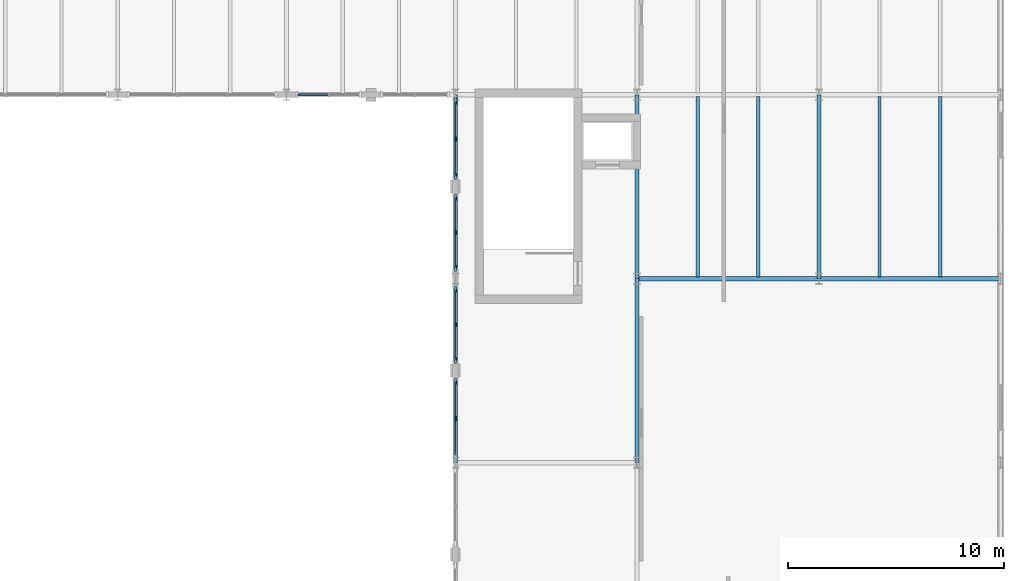
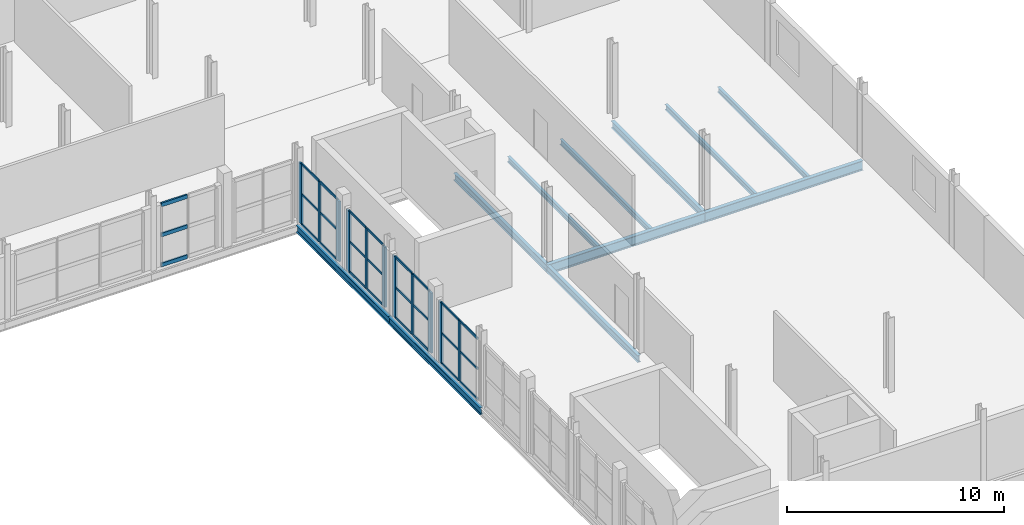
# One storey, part 19 of 45: 38 members, 11 beams, 5 elements without a shape of their own.
"""IFC4 building model written with IfcOpenShell, lengths in metres."""

import ifcopenshell
import ifcopenshell.guid

model = None  # the IFC model being written
_history = None  # IfcOwnerHistory: only IFC2X3 demands one
_inside = {}  # id of a spatial element -> (the spatial element, [elements in it])
_under = {}  # id of a project, library or spatial element -> (it, [spatial elements below it])
_declared = {}  # id of a project -> (the project, [libraries it declares])
_typed = {}  # id of a type object -> (the type object, [elements of that type])
_made_of = {}  # id of a material, layer set ... -> (it, [elements and type objects made of it])


def new_model(schema):
    """Start an empty IFC model of exactly this schema.

    Asked for "IFC4X3", IfcOpenShell would pick the latest addendum, in which some entities
    have other attributes; the version numbers below select the first issue.
    IFC2X3 requires an IfcOwnerHistory on every rooted entity: one is made here for all.
    """
    global model, _history
    if schema == "IFC4X3":
        model = ifcopenshell.file(schema_version=(4, 3, 0, 0))
    else:
        model = ifcopenshell.file(schema=schema)
    _inside.clear()
    _under.clear()
    _declared.clear()
    _typed.clear()
    _made_of.clear()
    _history = None
    if model.schema == "IFC2X3":
        org = make("IfcOrganization", Name="unknown")
        user = make(
            "IfcPersonAndOrganization",
            ThePerson=make("IfcPerson", FamilyName="unknown"),
            TheOrganization=org,
        )
        app = make(
            "IfcApplication",
            ApplicationDeveloper=org,
            Version="unknown",
            ApplicationFullName="unknown",
            ApplicationIdentifier="unknown",
        )
        _history = make(
            "IfcOwnerHistory",
            OwningUser=user,
            OwningApplication=app,
            ChangeAction="ADDED",
            CreationDate=0,
        )
    return model


def make(cls, **values):
    """One entity of the class cls with the attributes given. An attribute that is None is left unset."""
    return model.create_entity(
        cls, **{name: value for name, value in values.items() if value is not None}
    )


def rooted(cls, **values):
    """An entity with a GlobalId (a new one), such as an element, a storey or a relation."""
    return make(cls, GlobalId=ifcopenshell.guid.new(), OwnerHistory=_history, **values)


def si_unit(unit_type, name, prefix=None):
    """IfcSIUnit, for example si_unit("LENGTHUNIT", "METRE", prefix="MILLI")."""
    return make("IfcSIUnit", UnitType=unit_type, Prefix=prefix, Name=name)


def assignment(units):
    """IfcUnitAssignment: the units of a project."""
    return None if units is None else make("IfcUnitAssignment", Units=units)


def point(xyz):
    """IfcCartesianPoint."""
    return None if xyz is None else make("IfcCartesianPoint", Coordinates=xyz)


def direction(xyz):
    """IfcDirection."""
    return None if xyz is None else make("IfcDirection", DirectionRatios=xyz)


def frame(location, z_axis=None, x_axis=None):
    """IfcAxis2Placement3D, a coordinate frame: its origin and axes. An axis left out is left unset."""
    return make(
        "IfcAxis2Placement3D",
        Location=point(location),
        Axis=direction(z_axis),
        RefDirection=direction(x_axis),
    )


def frame_2d(location, x_axis=None):
    """IfcAxis2Placement2D, a coordinate frame in the plane: its origin and x axis."""
    return make(
        "IfcAxis2Placement2D", Location=point(location), RefDirection=direction(x_axis)
    )


def origin():
    """The frame at (0, 0, 0) with its axes left unset."""
    return frame((0.0, 0.0, 0.0))


def origin_2d():
    """The frame at (0, 0) in the plane with its x axis left unset."""
    return frame_2d((0.0, 0.0))


def place(relative_to, where):
    """IfcLocalPlacement: puts the frame where relative to a parent placement (None: the world)."""
    return make(
        "IfcLocalPlacement", PlacementRelTo=relative_to, RelativePlacement=where
    )


def context(
    kind, dimensions, precision=None, world=None, true_north=None, identifier=None
):
    """IfcGeometricRepresentationContext, for example the 3D "Model" context."""
    return make(
        "IfcGeometricRepresentationContext",
        ContextIdentifier=identifier,
        ContextType=kind,
        CoordinateSpaceDimension=dimensions,
        Precision=precision,
        WorldCoordinateSystem=world,
        TrueNorth=true_north,
    )


def subcontext(parent, identifier, kind, view, scale=None):
    """IfcGeometricRepresentationSubContext, for example "Body" below "Model"."""
    return make(
        "IfcGeometricRepresentationSubContext",
        ContextIdentifier=identifier,
        ContextType=kind,
        ParentContext=parent,
        TargetScale=scale,
        TargetView=view,
    )


def project(units=None, contexts=None):
    """IfcProject with its units and contexts."""
    return rooted(
        "IfcProject",
        Name="project",
        RepresentationContexts=contexts,
        UnitsInContext=assignment(units),
    )


def spatial(cls, under=None, at=None, **own):
    """A site, building, storey or space (cls), placed at a placement, below another one or the project."""
    s = rooted(cls, ObjectPlacement=at, **own)
    if under is not None:
        _under.setdefault(under.id(), (under, []))[1].append(s)
    return s


def profile(cls, at=None, kind="AREA", **sizes):
    """A parametric profile (cls). Its sizes go by their IFC names, for example OverallWidth=200.0."""
    return make(cls, ProfileType=kind, Position=at, **sizes)


def rectangle(**sizes):
    """IfcRectangleProfileDef."""
    return profile("IfcRectangleProfileDef", **sizes)


def i_section(**sizes):
    """IfcIShapeProfileDef."""
    return profile("IfcIShapeProfileDef", **sizes)


def extrude(swept, where, along, depth):
    """IfcExtrudedAreaSolid: the profile swept, set in the frame where, extruded along a direction by depth."""
    return make(
        "IfcExtrudedAreaSolid",
        SweptArea=swept,
        Position=where,
        ExtrudedDirection=direction(along),
        Depth=depth,
    )


def shape(context_of_items, identifier, shape_type, items):
    """IfcShapeRepresentation: the items that make up one representation, for example the "Body"."""
    return make(
        "IfcShapeRepresentation",
        ContextOfItems=context_of_items,
        RepresentationIdentifier=identifier,
        RepresentationType=shape_type,
        Items=items,
    )


def material(Name=None, Category=None):
    """IfcMaterial."""
    return make("IfcMaterial", Name=Name, Category=Category)


def layer(
    of_material, thickness, ventilated=None, Name=None, Category=None, Priority=None
):
    """IfcMaterialLayer: one layer of a wall or slab, of a material (None: an air gap)."""
    return make(
        "IfcMaterialLayer",
        Material=of_material,
        LayerThickness=thickness,
        IsVentilated=ventilated,
        Name=Name,
        Category=Category,
        Priority=Priority,
    )


def layer_set(layers, Name=None):
    """IfcMaterialLayerSet."""
    return make("IfcMaterialLayerSet", MaterialLayers=layers, LayerSetName=Name)


def material_profile(
    of_material, cross_section, Name=None, Category=None, Priority=None
):
    """IfcMaterialProfile: a cross section and its material."""
    return make(
        "IfcMaterialProfile",
        Name=Name,
        Material=of_material,
        Profile=cross_section,
        Priority=Priority,
        Category=Category,
    )


def profile_set(profiles, Name=None, composite=None):
    """IfcMaterialProfileSet."""
    return make(
        "IfcMaterialProfileSet",
        Name=Name,
        MaterialProfiles=profiles,
        CompositeProfile=composite,
    )


def made_of(thing, what):
    """Note that an element or type object is made of a material, layer set ...; save() writes the relation."""
    if what is not None:
        _made_of.setdefault(what.id(), (what, []))[1].append(thing)
    return thing


def type_object(cls, material=None, **own):
    """A type object (cls), such as IfcWallType, which elements share."""
    return made_of(rooted(cls, **own), material)


def element(
    cls,
    number,
    at=None,
    inside=None,
    cuts=None,
    type_object=None,
    material=None,
    context=None,
    identifier="Body",
    shape_type=None,
    held_by="IfcProductDefinitionShape",
    body=None,
    shapes=None,
    **own,
):
    """One element of the class cls, such as IfcWall. Its Tag is "e" and its number.

    at: its placement. inside: the storey or other place that contains it. cuts: it is an
    opening in that element (IfcRelVoidsElement). A single representation is given by context,
    identifier, shape_type and body (its items); several are given by shapes. held_by: the class
    of the entity that holds the representations. save() writes the other relations.
    """
    e = rooted(cls, Tag="e%d" % number, ObjectPlacement=at, **own)
    if body is not None:
        shapes = [shape(context, identifier, shape_type, body)]
    if shapes is not None:
        e.Representation = make(held_by, Representations=shapes)
    if inside is not None:
        _inside.setdefault(inside.id(), (inside, []))[1].append(e)
    if cuts is not None:
        rooted(
            "IfcRelVoidsElement", RelatingBuildingElement=cuts, RelatedOpeningElement=e
        )
    if type_object is not None:
        _typed.setdefault(type_object.id(), (type_object, []))[1].append(e)
    return made_of(e, material)


def aggregate(whole, parts):
    """IfcRelAggregates: a whole, such as a stair, and the parts it consists of."""
    return rooted("IfcRelAggregates", RelatingObject=whole, RelatedObjects=parts)


def save(model, path):
    """Write the relations noted so far, then the file.

    IfcRelAggregates (storeys below a building ...), IfcRelContainedInSpatialStructure (elements
    in a storey), IfcRelDefinesByType, IfcRelAssociatesMaterial and IfcRelDeclares: one each for
    every whole, place, type object, material and project.
    """
    for whole, parts in _under.values():
        aggregate(whole, parts)
    for where, things in _inside.values():
        rooted(
            "IfcRelContainedInSpatialStructure",
            RelatedElements=things,
            RelatingStructure=where,
        )
    for kind, things in _typed.values():
        rooted("IfcRelDefinesByType", RelatedObjects=things, RelatingType=kind)
    for what, things in _made_of.values():
        rooted("IfcRelAssociatesMaterial", RelatedObjects=things, RelatingMaterial=what)
    for by, libraries in _declared.values():
        rooted("IfcRelDeclares", RelatingContext=by, RelatedDefinitions=libraries)
    model.write(path)


model = new_model("IFC4")

# Units and contexts
model_context = context("Model", 3, precision=1e-05, world=origin(), true_north=direction((0.0, 1.0)))
body_context = subcontext(model_context, "Body", "Model", "MODEL_VIEW")
ifc_project = project(units=[si_unit("LENGTHUNIT", "METRE"), si_unit("AREAUNIT", "SQUARE_METRE"), si_unit("VOLUMEUNIT", "CUBIC_METRE"), si_unit("PLANEANGLEUNIT", "RADIAN"), si_unit("MASSUNIT", "GRAM", prefix="KILO")], contexts=[model_context])

# Site, building, storey
site_placement = place(None, origin())
site = spatial("IfcSite", under=ifc_project, at=site_placement, CompositionType="ELEMENT")
building_placement = place(site_placement, origin())
building = spatial("IfcBuilding", under=site, at=building_placement, Name="Sefraquen Railside Congress Hotel", CompositionType="ELEMENT")
storey_placement = place(building_placement, frame((0.0, 0.0, 20.39990234375)))
storey = spatial("IfcBuildingStorey", under=building, at=storey_placement, Name="L04", CompositionType="ELEMENT", Elevation=20.39990234375)

# Beams
ifc_material_1 = material(Name="Steel S355JR", Category="steel")
ifc_material_profile_1 = material_profile(ifc_material_1, i_section(OverallWidth=0.179931640625, OverallDepth=0.39990234375, WebThickness=0.008544921875, FlangeThickness=0.013427734375, FilletRadius=0.02099609375, at=origin_2d()), Name="IPE 400")
ifc_profile_set_1 = profile_set([ifc_material_profile_1], Name="Steel S355JR")
beam_type_1 = type_object("IfcBeamType", Name="TB-BM-400I", PredefinedType="BEAM", material=ifc_profile_set_1)
for number, where, z_axis, x_axis, name in (
    (1, (103.199951171875, 71.0, -0.47998046875), (0.0, 1.0, 0.0), (-1.0, 0.0, 0.0), "Floor beam BM-L04-1398"),
    (2, (103.199951171875, 79.5, -0.47998046875), (0.0, 1.0, 0.0), (-1.0, 0.0, 0.0), "Floor beam BM-L04-1399"),
    (3, (111.60009765625, 71.0, -0.47998046875), (0.0, 1.0, 0.0), (-1.0, 0.0, 0.0), "Floor beam BM-L04-1406"),
    (4, (111.60009765625, 79.5, -0.47998046875), (0.0, 1.0, 0.0), (-1.0, 0.0, 0.0), "Floor beam BM-L04-1407"),
    (5, (120.0, 79.5, -0.47998046875), (0.0, 1.0, 0.0), (-1.0, 0.0, 0.0), "Floor beam BM-L04-1413"),
):
    element("IfcBeam", number, at=place(storey_placement, frame(where, z_axis=z_axis, x_axis=x_axis)), inside=storey, type_object=beam_type_1, Name=name, PredefinedType="BEAM", context=body_context, shape_type="SweptSolid", body=[
        extrude(i_section(OverallWidth=0.179931640625, OverallDepth=0.39990234375, WebThickness=0.008544921875, FlangeThickness=0.013427734375, FilletRadius=0.02099609375, at=origin_2d()), origin(), (0.0, 0.0, 1.0), 8.5),
    ])
ifc_material_profile_2 = material_profile(ifc_material_1, i_section(OverallWidth=0.2099609375, OverallDepth=0.550048828125, WebThickness=0.010986328125, FlangeThickness=0.01708984375, FilletRadius=0.02392578125, at=origin_2d()), Name="IPE 550")
ifc_profile_set_2 = profile_set([ifc_material_profile_2], Name="Steel S355JR")
beam_type_2 = type_object("IfcBeamType", Name="TB-GIR-550", PredefinedType="T_BEAM", material=ifc_profile_set_2)
for number, where, z_axis, x_axis, name in (
    (6, (111.60009765625, 79.5, -0.554931640625), (1.0, 0.0, 0.0), (0.0, 1.0, 0.0), "Primary girder BM-L04-1275"),
    (7, (120.0, 79.5, -0.554931640625), (1.0, 0.0, 0.0), (0.0, 1.0, 0.0), "Primary girder BM-L04-1276"),
):
    element("IfcBeam", number, at=place(storey_placement, frame(where, z_axis=z_axis, x_axis=x_axis)), inside=storey, type_object=beam_type_2, Name=name, PredefinedType="T_BEAM", context=body_context, shape_type="SweptSolid", body=[
        extrude(i_section(OverallWidth=0.2099609375, OverallDepth=0.550048828125, WebThickness=0.010986328125, FlangeThickness=0.01708984375, FilletRadius=0.02392578125, at=origin_2d()), origin(), (0.0, 0.0, 1.0), 8.39990234375),
    ])
ifc_material_profile_3 = material_profile(ifc_material_1, i_section(OverallWidth=0.14990234375, OverallDepth=0.300048828125, WebThickness=0.007080078125, FlangeThickness=0.0107421875, FilletRadius=0.014892578125, at=origin_2d()), Name="IPE 300")
ifc_profile_set_3 = profile_set([ifc_material_profile_3], Name="Steel S355JR")
beam_type_3 = type_object("IfcBeamType", Name="TB-JST-300", PredefinedType="JOIST", material=ifc_profile_set_3)
for number, where, z_axis, x_axis, name in (
    (8, (114.39990234375, 79.5849609375, -0.429931640625), (0.0, 1.0, 0.0), (-1.0, 0.0, 0.0), "Composite floor joist BM-L04-J0922"),
    (9, (117.199951171875, 79.5849609375, -0.429931640625), (0.0, 1.0, 0.0), (-1.0, 0.0, 0.0), "Composite floor joist BM-L04-J0923"),
    (10, (122.800048828125, 79.5849609375, -0.429931640625), (0.0, 1.0, 0.0), (-1.0, 0.0, 0.0), "Composite floor joist BM-L04-J0934"),
    (11, (125.60009765625, 79.5849609375, -0.429931640625), (0.0, 1.0, 0.0), (-1.0, 0.0, 0.0), "Composite floor joist BM-L04-J0935"),
):
    element("IfcBeam", number, at=place(storey_placement, frame(where, z_axis=z_axis, x_axis=x_axis)), inside=storey, type_object=beam_type_3, Name=name, PredefinedType="JOIST", context=body_context, shape_type="SweptSolid", body=[
        extrude(i_section(OverallWidth=0.14990234375, OverallDepth=0.300048828125, WebThickness=0.007080078125, FlangeThickness=0.0107421875, FilletRadius=0.014892578125, at=origin_2d()), origin(), (0.0, 0.0, 1.0), 8.330078125),
    ])

# Curtain wall, member
ifc_material_2 = material(Name="Thermally broken anodised aluminium and low-E double glazing", Category="aluminium")
ifc_layer_1 = layer(ifc_material_2, 0.199951171875)
ifc_layer_set_1 = layer_set([ifc_layer_1], Name="Thermally broken anodised aluminium and low-E double glazing")
curtain_wall_type_1 = type_object("IfcCurtainWallType", Name="TCW-UCW-09", PredefinedType="USERDEFINED", material=ifc_layer_set_1)
curtain_wall_1_placement = place(storey_placement, origin())
curtain_wall_1 = element("IfcCurtainWall", 12, at=curtain_wall_1_placement, inside=storey, type_object=curtain_wall_type_1, Name="Meeting Wing L04 courtyard east curtain wall", ObjectType="UNITISED CURTAIN WALL", PredefinedType="USERDEFINED")
ifc_material_3 = material(Name="Thermally broken anodised aluminium 6063-T6", Category="aluminium")
ifc_material_profile_4 = material_profile(ifc_material_3, rectangle(XDim=0.070068359375, YDim=0.199951171875, at=origin_2d()), Name="CWM 70x200")
ifc_profile_set_4 = profile_set([ifc_material_profile_4], Name="Thermally broken anodised aluminium 6063-T6")
member_type_1 = type_object("IfcMemberType", Name="TM-CWM-03", PredefinedType="MULLION", material=ifc_profile_set_4)
member_1_placement = place(storey_placement, frame((103.199951171875, 73.0400390625, 0.0), z_axis=(0.0, 0.0, 1.0), x_axis=(1.0, 0.0, 0.0)))
member_1 = element("IfcMember", 13, at=member_1_placement, type_object=member_type_1, Name="CW-L04-073 mullion 2", PredefinedType="MULLION", context=body_context, shape_type="SweptSolid", body=[
    extrude(rectangle(XDim=0.070068359375, YDim=0.199951171875, at=origin_2d()), origin(), (0.0, 0.0, 1.0), 3.39013671875),
])

curtain_wall_2_placement = place(storey_placement, origin())
curtain_wall_2 = element("IfcCurtainWall", 14, at=curtain_wall_2_placement, inside=storey, type_object=curtain_wall_type_1, Name="Meeting Wing L04 courtyard east curtain wall bay 2", ObjectType="UNITISED CURTAIN WALL", PredefinedType="USERDEFINED")
member_2_placement = place(storey_placement, frame((103.199951171875, 77.375, 0.0), z_axis=(0.0, 0.0, 1.0), x_axis=(1.0, 0.0, 0.0)))
member_2 = element("IfcMember", 15, at=member_2_placement, type_object=member_type_1, Name="CW-L04-073-S2 mullion 2", PredefinedType="MULLION", context=body_context, shape_type="SweptSolid", body=[
    extrude(rectangle(XDim=0.070068359375, YDim=0.199951171875, at=origin_2d()), origin(), (0.0, 0.0, 1.0), 3.39013671875),
])

curtain_wall_3_placement = place(storey_placement, origin())
curtain_wall_3 = element("IfcCurtainWall", 16, at=curtain_wall_3_placement, inside=storey, type_object=curtain_wall_type_1, Name="Meeting Wing L04 courtyard east curtain wall bay 3", ObjectType="UNITISED CURTAIN WALL", PredefinedType="USERDEFINED")
member_3_placement = place(storey_placement, frame((103.199951171875, 81.625, 0.0), z_axis=(0.0, 0.0, 1.0), x_axis=(1.0, 0.0, 0.0)))
member_3 = element("IfcMember", 17, at=member_3_placement, type_object=member_type_1, Name="CW-L04-073-S3 mullion 2", PredefinedType="MULLION", context=body_context, shape_type="SweptSolid", body=[
    extrude(rectangle(XDim=0.070068359375, YDim=0.199951171875, at=origin_2d()), origin(), (0.0, 0.0, 1.0), 3.39013671875),
])

curtain_wall_4_placement = place(storey_placement, origin())
curtain_wall_4 = element("IfcCurtainWall", 18, at=curtain_wall_4_placement, inside=storey, type_object=curtain_wall_type_1, Name="Meeting Wing L04 courtyard east curtain wall bay 4", ObjectType="UNITISED CURTAIN WALL", PredefinedType="USERDEFINED")
member_4_placement = place(storey_placement, frame((103.199951171875, 85.9599609375, 0.0), z_axis=(0.0, 0.0, 1.0), x_axis=(1.0, 0.0, 0.0)))
member_4 = element("IfcMember", 19, at=member_4_placement, type_object=member_type_1, Name="CW-L04-073-S4 mullion 2", PredefinedType="MULLION", context=body_context, shape_type="SweptSolid", body=[
    extrude(rectangle(XDim=0.070068359375, YDim=0.199951171875, at=origin_2d()), origin(), (0.0, 0.0, 1.0), 3.39013671875),
])

# Member
ifc_material_profile_5 = material_profile(ifc_material_3, rectangle(XDim=0.094970703125, YDim=0.300048828125, at=origin_2d()), Name="CWM 95x300")
ifc_profile_set_5 = profile_set([ifc_material_profile_5], Name="Thermally broken anodised aluminium 6063-T6")
member_type_2 = type_object("IfcMemberType", Name="TM-CWM-08", PredefinedType="MULLION", material=ifc_profile_set_5)
member_5_placement = place(storey_placement, frame((103.199951171875, 74.77001953125, 0.0), z_axis=(0.0, 0.0, 1.0), x_axis=(1.0, 0.0, 0.0)))
member_5 = element("IfcMember", 20, at=member_5_placement, type_object=member_type_2, Name="CW-L04-073 mullion 3", PredefinedType="MULLION", context=body_context, shape_type="SweptSolid", body=[
    extrude(rectangle(XDim=0.094970703125, YDim=0.300048828125, at=origin_2d()), origin(), (0.0, 0.0, 1.0), 3.39013671875),
])

member_6_placement = place(storey_placement, frame((103.199951171875, 75.72998046875, 0.0), z_axis=(0.0, 0.0, 1.0), x_axis=(1.0, 0.0, 0.0)))
member_6 = element("IfcMember", 21, at=member_6_placement, type_object=member_type_2, Name="CW-L04-073-S2 mullion 1", PredefinedType="MULLION", context=body_context, shape_type="SweptSolid", body=[
    extrude(rectangle(XDim=0.094970703125, YDim=0.300048828125, at=origin_2d()), origin(), (0.0, 0.0, 1.0), 3.39013671875),
])

member_7_placement = place(storey_placement, frame((103.199951171875, 79.02001953125, 0.0), z_axis=(0.0, 0.0, 1.0), x_axis=(1.0, 0.0, 0.0)))
member_7 = element("IfcMember", 22, at=member_7_placement, type_object=member_type_2, Name="CW-L04-073-S2 mullion 3", PredefinedType="MULLION", context=body_context, shape_type="SweptSolid", body=[
    extrude(rectangle(XDim=0.094970703125, YDim=0.300048828125, at=origin_2d()), origin(), (0.0, 0.0, 1.0), 3.39013671875),
])

member_8_placement = place(storey_placement, frame((103.199951171875, 79.97998046875, 0.0), z_axis=(0.0, 0.0, 1.0), x_axis=(1.0, 0.0, 0.0)))
member_8 = element("IfcMember", 23, at=member_8_placement, type_object=member_type_2, Name="CW-L04-073-S3 mullion 1", PredefinedType="MULLION", context=body_context, shape_type="SweptSolid", body=[
    extrude(rectangle(XDim=0.094970703125, YDim=0.300048828125, at=origin_2d()), origin(), (0.0, 0.0, 1.0), 3.39013671875),
])

member_9_placement = place(storey_placement, frame((103.199951171875, 83.27001953125, 0.0), z_axis=(0.0, 0.0, 1.0), x_axis=(1.0, 0.0, 0.0)))
member_9 = element("IfcMember", 24, at=member_9_placement, type_object=member_type_2, Name="CW-L04-073-S3 mullion 3", PredefinedType="MULLION", context=body_context, shape_type="SweptSolid", body=[
    extrude(rectangle(XDim=0.094970703125, YDim=0.300048828125, at=origin_2d()), origin(), (0.0, 0.0, 1.0), 3.39013671875),
])

member_10_placement = place(storey_placement, frame((103.199951171875, 84.22998046875, 0.0), z_axis=(0.0, 0.0, 1.0), x_axis=(1.0, 0.0, 0.0)))
member_10 = element("IfcMember", 25, at=member_10_placement, type_object=member_type_2, Name="CW-L04-073-S4 mullion 1", PredefinedType="MULLION", context=body_context, shape_type="SweptSolid", body=[
    extrude(rectangle(XDim=0.094970703125, YDim=0.300048828125, at=origin_2d()), origin(), (0.0, 0.0, 1.0), 3.39013671875),
])

member_11_placement = place(storey_placement, frame((103.199951171875, 87.68994140625, 0.0), z_axis=(0.0, 0.0, 1.0), x_axis=(1.0, 0.0, 0.0)))
member_11 = element("IfcMember", 26, at=member_11_placement, type_object=member_type_2, Name="CW-L04-073-S4 mullion 3", PredefinedType="MULLION", context=body_context, shape_type="SweptSolid", body=[
    extrude(rectangle(XDim=0.094970703125, YDim=0.300048828125, at=origin_2d()), origin(), (0.0, 0.0, 1.0), 3.39013671875),
])

ifc_material_profile_6 = material_profile(ifc_material_3, rectangle(XDim=0.06005859375, YDim=0.1201171875, at=origin_2d()), Name="CWT 60x120")
ifc_profile_set_6 = profile_set([ifc_material_profile_6], Name="Thermally broken anodised aluminium 6063-T6")
member_type_3 = type_object("IfcMemberType", Name="TM-CWT-01", PredefinedType="USERDEFINED", material=ifc_profile_set_6)
member_12_placement = place(storey_placement, frame((103.199951171875, 71.35498046875, 0.0), z_axis=(0.0, 1.0, 0.0), x_axis=(-1.0, 0.0, 0.0)))
member_12 = element("IfcMember", 27, at=member_12_placement, type_object=member_type_3, Name="CW-L04-073 transom 1.1", ObjectType="TRANSOM", PredefinedType="USERDEFINED", context=body_context, shape_type="SweptSolid", body=[
    extrude(rectangle(XDim=0.06005859375, YDim=0.1201171875, at=origin_2d()), origin(), (0.0, 0.0, 1.0), 1.64013671875),
])

member_13_placement = place(storey_placement, frame((103.199951171875, 73.0849609375, 0.0), z_axis=(0.0, 1.0, 0.0), x_axis=(-1.0, 0.0, 0.0)))
member_13 = element("IfcMember", 28, at=member_13_placement, type_object=member_type_3, Name="CW-L04-073 transom 1.2", ObjectType="TRANSOM", PredefinedType="USERDEFINED", context=body_context, shape_type="SweptSolid", body=[
    extrude(rectangle(XDim=0.06005859375, YDim=0.1201171875, at=origin_2d()), origin(), (0.0, 0.0, 1.0), 1.64013671875),
])

member_14_placement = place(storey_placement, frame((103.199951171875, 71.35498046875, 1.695068359375), z_axis=(0.0, 1.0, 0.0), x_axis=(-1.0, 0.0, 0.0)))
member_14 = element("IfcMember", 29, at=member_14_placement, type_object=member_type_3, Name="CW-L04-073 transom 2.1", ObjectType="TRANSOM", PredefinedType="USERDEFINED", context=body_context, shape_type="SweptSolid", body=[
    extrude(rectangle(XDim=0.06005859375, YDim=0.1201171875, at=origin_2d()), origin(), (0.0, 0.0, 1.0), 1.64013671875),
])

member_15_placement = place(storey_placement, frame((103.199951171875, 73.0849609375, 1.695068359375), z_axis=(0.0, 1.0, 0.0), x_axis=(-1.0, 0.0, 0.0)))
member_15 = element("IfcMember", 30, at=member_15_placement, type_object=member_type_3, Name="CW-L04-073 transom 2.2", ObjectType="TRANSOM", PredefinedType="USERDEFINED", context=body_context, shape_type="SweptSolid", body=[
    extrude(rectangle(XDim=0.06005859375, YDim=0.1201171875, at=origin_2d()), origin(), (0.0, 0.0, 1.0), 1.64013671875),
])

member_16_placement = place(storey_placement, frame((103.199951171875, 71.35498046875, 3.39013671875), z_axis=(0.0, 1.0, 0.0), x_axis=(-1.0, 0.0, 0.0)))
member_16 = element("IfcMember", 31, at=member_16_placement, type_object=member_type_3, Name="CW-L04-073 transom 3.1", ObjectType="TRANSOM", PredefinedType="USERDEFINED", context=body_context, shape_type="SweptSolid", body=[
    extrude(rectangle(XDim=0.06005859375, YDim=0.1201171875, at=origin_2d()), origin(), (0.0, 0.0, 1.0), 1.64013671875),
])

member_17_placement = place(storey_placement, frame((103.199951171875, 73.0849609375, 3.39013671875), z_axis=(0.0, 1.0, 0.0), x_axis=(-1.0, 0.0, 0.0)))
member_17 = element("IfcMember", 32, at=member_17_placement, type_object=member_type_3, Name="CW-L04-073 transom 3.2", ObjectType="TRANSOM", PredefinedType="USERDEFINED", context=body_context, shape_type="SweptSolid", body=[
    extrude(rectangle(XDim=0.06005859375, YDim=0.1201171875, at=origin_2d()), origin(), (0.0, 0.0, 1.0), 1.64013671875),
])

aggregate(curtain_wall_1, [member_1, member_5, member_12, member_13, member_14, member_15, member_16, member_17])

member_18_placement = place(storey_placement, frame((103.199951171875, 75.77490234375, 0.0), z_axis=(0.0, 1.0, 0.0), x_axis=(-1.0, 0.0, 0.0)))
member_18 = element("IfcMember", 33, at=member_18_placement, type_object=member_type_3, Name="CW-L04-073-S2 transom 1.1", ObjectType="TRANSOM", PredefinedType="USERDEFINED", context=body_context, shape_type="SweptSolid", body=[
    extrude(rectangle(XDim=0.06005859375, YDim=0.1201171875, at=origin_2d()), origin(), (0.0, 0.0, 1.0), 1.55517578125),
])

member_19_placement = place(storey_placement, frame((103.199951171875, 77.419921875, 0.0), z_axis=(0.0, 1.0, 0.0), x_axis=(-1.0, 0.0, 0.0)))
member_19 = element("IfcMember", 34, at=member_19_placement, type_object=member_type_3, Name="CW-L04-073-S2 transom 1.2", ObjectType="TRANSOM", PredefinedType="USERDEFINED", context=body_context, shape_type="SweptSolid", body=[
    extrude(rectangle(XDim=0.06005859375, YDim=0.1201171875, at=origin_2d()), origin(), (0.0, 0.0, 1.0), 1.55517578125),
])

member_20_placement = place(storey_placement, frame((103.199951171875, 75.77490234375, 1.695068359375), z_axis=(0.0, 1.0, 0.0), x_axis=(-1.0, 0.0, 0.0)))
member_20 = element("IfcMember", 35, at=member_20_placement, type_object=member_type_3, Name="CW-L04-073-S2 transom 2.1", ObjectType="TRANSOM", PredefinedType="USERDEFINED", context=body_context, shape_type="SweptSolid", body=[
    extrude(rectangle(XDim=0.06005859375, YDim=0.1201171875, at=origin_2d()), origin(), (0.0, 0.0, 1.0), 1.55517578125),
])

member_21_placement = place(storey_placement, frame((103.199951171875, 77.419921875, 1.695068359375), z_axis=(0.0, 1.0, 0.0), x_axis=(-1.0, 0.0, 0.0)))
member_21 = element("IfcMember", 36, at=member_21_placement, type_object=member_type_3, Name="CW-L04-073-S2 transom 2.2", ObjectType="TRANSOM", PredefinedType="USERDEFINED", context=body_context, shape_type="SweptSolid", body=[
    extrude(rectangle(XDim=0.06005859375, YDim=0.1201171875, at=origin_2d()), origin(), (0.0, 0.0, 1.0), 1.55517578125),
])

member_22_placement = place(storey_placement, frame((103.199951171875, 75.77490234375, 3.39013671875), z_axis=(0.0, 1.0, 0.0), x_axis=(-1.0, 0.0, 0.0)))
member_22 = element("IfcMember", 37, at=member_22_placement, type_object=member_type_3, Name="CW-L04-073-S2 transom 3.1", ObjectType="TRANSOM", PredefinedType="USERDEFINED", context=body_context, shape_type="SweptSolid", body=[
    extrude(rectangle(XDim=0.06005859375, YDim=0.1201171875, at=origin_2d()), origin(), (0.0, 0.0, 1.0), 1.55517578125),
])

member_23_placement = place(storey_placement, frame((103.199951171875, 77.419921875, 3.39013671875), z_axis=(0.0, 1.0, 0.0), x_axis=(-1.0, 0.0, 0.0)))
member_23 = element("IfcMember", 38, at=member_23_placement, type_object=member_type_3, Name="CW-L04-073-S2 transom 3.2", ObjectType="TRANSOM", PredefinedType="USERDEFINED", context=body_context, shape_type="SweptSolid", body=[
    extrude(rectangle(XDim=0.06005859375, YDim=0.1201171875, at=origin_2d()), origin(), (0.0, 0.0, 1.0), 1.55517578125),
])

aggregate(curtain_wall_2, [member_6, member_2, member_7, member_18, member_19, member_20, member_21, member_22, member_23])

member_24_placement = place(storey_placement, frame((103.199951171875, 80.02490234375, 0.0), z_axis=(0.0, 1.0, 0.0), x_axis=(-1.0, 0.0, 0.0)))
member_24 = element("IfcMember", 39, at=member_24_placement, type_object=member_type_3, Name="CW-L04-073-S3 transom 1.1", ObjectType="TRANSOM", PredefinedType="USERDEFINED", context=body_context, shape_type="SweptSolid", body=[
    extrude(rectangle(XDim=0.06005859375, YDim=0.1201171875, at=origin_2d()), origin(), (0.0, 0.0, 1.0), 1.55517578125),
])

member_25_placement = place(storey_placement, frame((103.199951171875, 81.669921875, 0.0), z_axis=(0.0, 1.0, 0.0), x_axis=(-1.0, 0.0, 0.0)))
member_25 = element("IfcMember", 40, at=member_25_placement, type_object=member_type_3, Name="CW-L04-073-S3 transom 1.2", ObjectType="TRANSOM", PredefinedType="USERDEFINED", context=body_context, shape_type="SweptSolid", body=[
    extrude(rectangle(XDim=0.06005859375, YDim=0.1201171875, at=origin_2d()), origin(), (0.0, 0.0, 1.0), 1.55517578125),
])

member_26_placement = place(storey_placement, frame((103.199951171875, 80.02490234375, 1.695068359375), z_axis=(0.0, 1.0, 0.0), x_axis=(-1.0, 0.0, 0.0)))
member_26 = element("IfcMember", 41, at=member_26_placement, type_object=member_type_3, Name="CW-L04-073-S3 transom 2.1", ObjectType="TRANSOM", PredefinedType="USERDEFINED", context=body_context, shape_type="SweptSolid", body=[
    extrude(rectangle(XDim=0.06005859375, YDim=0.1201171875, at=origin_2d()), origin(), (0.0, 0.0, 1.0), 1.55517578125),
])

member_27_placement = place(storey_placement, frame((103.199951171875, 81.669921875, 1.695068359375), z_axis=(0.0, 1.0, 0.0), x_axis=(-1.0, 0.0, 0.0)))
member_27 = element("IfcMember", 42, at=member_27_placement, type_object=member_type_3, Name="CW-L04-073-S3 transom 2.2", ObjectType="TRANSOM", PredefinedType="USERDEFINED", context=body_context, shape_type="SweptSolid", body=[
    extrude(rectangle(XDim=0.06005859375, YDim=0.1201171875, at=origin_2d()), origin(), (0.0, 0.0, 1.0), 1.55517578125),
])

member_28_placement = place(storey_placement, frame((103.199951171875, 80.02490234375, 3.39013671875), z_axis=(0.0, 1.0, 0.0), x_axis=(-1.0, 0.0, 0.0)))
member_28 = element("IfcMember", 43, at=member_28_placement, type_object=member_type_3, Name="CW-L04-073-S3 transom 3.1", ObjectType="TRANSOM", PredefinedType="USERDEFINED", context=body_context, shape_type="SweptSolid", body=[
    extrude(rectangle(XDim=0.06005859375, YDim=0.1201171875, at=origin_2d()), origin(), (0.0, 0.0, 1.0), 1.55517578125),
])

member_29_placement = place(storey_placement, frame((103.199951171875, 81.669921875, 3.39013671875), z_axis=(0.0, 1.0, 0.0), x_axis=(-1.0, 0.0, 0.0)))
member_29 = element("IfcMember", 44, at=member_29_placement, type_object=member_type_3, Name="CW-L04-073-S3 transom 3.2", ObjectType="TRANSOM", PredefinedType="USERDEFINED", context=body_context, shape_type="SweptSolid", body=[
    extrude(rectangle(XDim=0.06005859375, YDim=0.1201171875, at=origin_2d()), origin(), (0.0, 0.0, 1.0), 1.55517578125),
])

aggregate(curtain_wall_3, [member_8, member_3, member_9, member_24, member_25, member_26, member_27, member_28, member_29])

member_30_placement = place(storey_placement, frame((103.199951171875, 84.27490234375, 0.0), z_axis=(0.0, 1.0, 0.0), x_axis=(-1.0, 0.0, 0.0)))
member_30 = element("IfcMember", 45, at=member_30_placement, type_object=member_type_3, Name="CW-L04-073-S4 transom 1.1", ObjectType="TRANSOM", PredefinedType="USERDEFINED", context=body_context, shape_type="SweptSolid", body=[
    extrude(rectangle(XDim=0.06005859375, YDim=0.1201171875, at=origin_2d()), origin(), (0.0, 0.0, 1.0), 1.64013671875),
])

member_31_placement = place(storey_placement, frame((103.199951171875, 86.0048828125, 0.0), z_axis=(0.0, 1.0, 0.0), x_axis=(-1.0, 0.0, 0.0)))
member_31 = element("IfcMember", 46, at=member_31_placement, type_object=member_type_3, Name="CW-L04-073-S4 transom 1.2", ObjectType="TRANSOM", PredefinedType="USERDEFINED", context=body_context, shape_type="SweptSolid", body=[
    extrude(rectangle(XDim=0.06005859375, YDim=0.1201171875, at=origin_2d()), origin(), (0.0, 0.0, 1.0), 1.64013671875),
])

member_32_placement = place(storey_placement, frame((103.199951171875, 84.27490234375, 1.695068359375), z_axis=(0.0, 1.0, 0.0), x_axis=(-1.0, 0.0, 0.0)))
member_32 = element("IfcMember", 47, at=member_32_placement, type_object=member_type_3, Name="CW-L04-073-S4 transom 2.1", ObjectType="TRANSOM", PredefinedType="USERDEFINED", context=body_context, shape_type="SweptSolid", body=[
    extrude(rectangle(XDim=0.06005859375, YDim=0.1201171875, at=origin_2d()), origin(), (0.0, 0.0, 1.0), 1.64013671875),
])

member_33_placement = place(storey_placement, frame((103.199951171875, 86.0048828125, 1.695068359375), z_axis=(0.0, 1.0, 0.0), x_axis=(-1.0, 0.0, 0.0)))
member_33 = element("IfcMember", 48, at=member_33_placement, type_object=member_type_3, Name="CW-L04-073-S4 transom 2.2", ObjectType="TRANSOM", PredefinedType="USERDEFINED", context=body_context, shape_type="SweptSolid", body=[
    extrude(rectangle(XDim=0.06005859375, YDim=0.1201171875, at=origin_2d()), origin(), (0.0, 0.0, 1.0), 1.64013671875),
])

member_34_placement = place(storey_placement, frame((103.199951171875, 84.27490234375, 3.39013671875), z_axis=(0.0, 1.0, 0.0), x_axis=(-1.0, 0.0, 0.0)))
member_34 = element("IfcMember", 49, at=member_34_placement, type_object=member_type_3, Name="CW-L04-073-S4 transom 3.1", ObjectType="TRANSOM", PredefinedType="USERDEFINED", context=body_context, shape_type="SweptSolid", body=[
    extrude(rectangle(XDim=0.06005859375, YDim=0.1201171875, at=origin_2d()), origin(), (0.0, 0.0, 1.0), 1.64013671875),
])

member_35_placement = place(storey_placement, frame((103.199951171875, 86.0048828125, 3.39013671875), z_axis=(0.0, 1.0, 0.0), x_axis=(-1.0, 0.0, 0.0)))
member_35 = element("IfcMember", 50, at=member_35_placement, type_object=member_type_3, Name="CW-L04-073-S4 transom 3.2", ObjectType="TRANSOM", PredefinedType="USERDEFINED", context=body_context, shape_type="SweptSolid", body=[
    extrude(rectangle(XDim=0.06005859375, YDim=0.1201171875, at=origin_2d()), origin(), (0.0, 0.0, 1.0), 1.64013671875),
])

aggregate(curtain_wall_4, [member_10, member_4, member_11, member_30, member_31, member_32, member_33, member_34, member_35])

# Curtain wall, members
ifc_layer_2 = layer(ifc_material_2, 0.199951171875)
ifc_layer_set_2 = layer_set([ifc_layer_2], Name="Thermally broken anodised aluminium and low-E double glazing")
curtain_wall_type_2 = type_object("IfcCurtainWallType", Name="TCW-UCW-07", PredefinedType="USERDEFINED", material=ifc_layer_set_2)
curtain_wall_5_placement = place(storey_placement, origin())
curtain_wall_5 = element("IfcCurtainWall", 51, at=curtain_wall_5_placement, inside=storey, type_object=curtain_wall_type_2, Name="Meeting Wing L04 courtyard north curtain wall 3 bay 3", ObjectType="UNITISED CURTAIN WALL", PredefinedType="USERDEFINED")
ifc_material_profile_7 = material_profile(ifc_material_3, rectangle(XDim=0.090087890625, YDim=0.2099609375, at=origin_2d()), Name="CWT 90x210")
ifc_profile_set_7 = profile_set([ifc_material_profile_7], Name="Thermally broken anodised aluminium 6063-T6")
member_type_4 = type_object("IfcMemberType", Name="TM-CWT-07", PredefinedType="USERDEFINED", material=ifc_profile_set_7)
member_36_placement = place(storey_placement, frame((95.925048828125, 88.0, 0.0), z_axis=(1.0, 0.0, 0.0), x_axis=(0.0, 1.0, 0.0)))
member_36 = element("IfcMember", 52, at=member_36_placement, type_object=member_type_4, Name="CW-L04-071-S3 transom 1.1", ObjectType="TRANSOM", PredefinedType="USERDEFINED", context=body_context, shape_type="SweptSolid", body=[
    extrude(rectangle(XDim=0.090087890625, YDim=0.2099609375, at=origin_2d()), origin(), (0.0, 0.0, 1.0), 1.3798828125),
])
member_37_placement = place(storey_placement, frame((95.925048828125, 88.0, 1.695068359375), z_axis=(1.0, 0.0, 0.0), x_axis=(0.0, 1.0, 0.0)))
member_37 = element("IfcMember", 53, at=member_37_placement, type_object=member_type_4, Name="CW-L04-071-S3 transom 2.1", ObjectType="TRANSOM", PredefinedType="USERDEFINED", context=body_context, shape_type="SweptSolid", body=[
    extrude(rectangle(XDim=0.090087890625, YDim=0.2099609375, at=origin_2d()), origin(), (0.0, 0.0, 1.0), 1.3798828125),
])
member_38_placement = place(storey_placement, frame((95.925048828125, 88.0, 3.39013671875), z_axis=(1.0, 0.0, 0.0), x_axis=(0.0, 1.0, 0.0)))
member_38 = element("IfcMember", 54, at=member_38_placement, type_object=member_type_4, Name="CW-L04-071-S3 transom 3.1", ObjectType="TRANSOM", PredefinedType="USERDEFINED", context=body_context, shape_type="SweptSolid", body=[
    extrude(rectangle(XDim=0.090087890625, YDim=0.2099609375, at=origin_2d()), origin(), (0.0, 0.0, 1.0), 1.3798828125),
])
aggregate(curtain_wall_5, [member_36, member_37, member_38])

save(model, "model.ifc")
